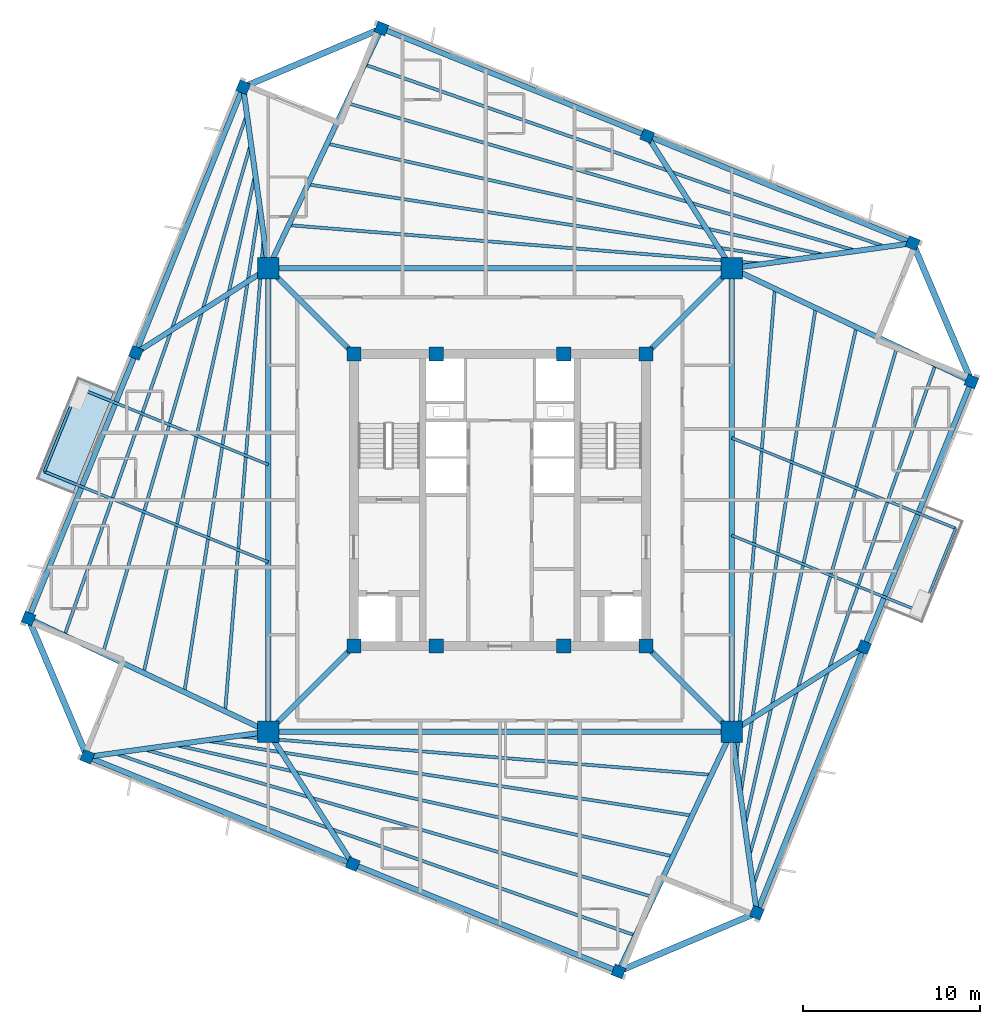
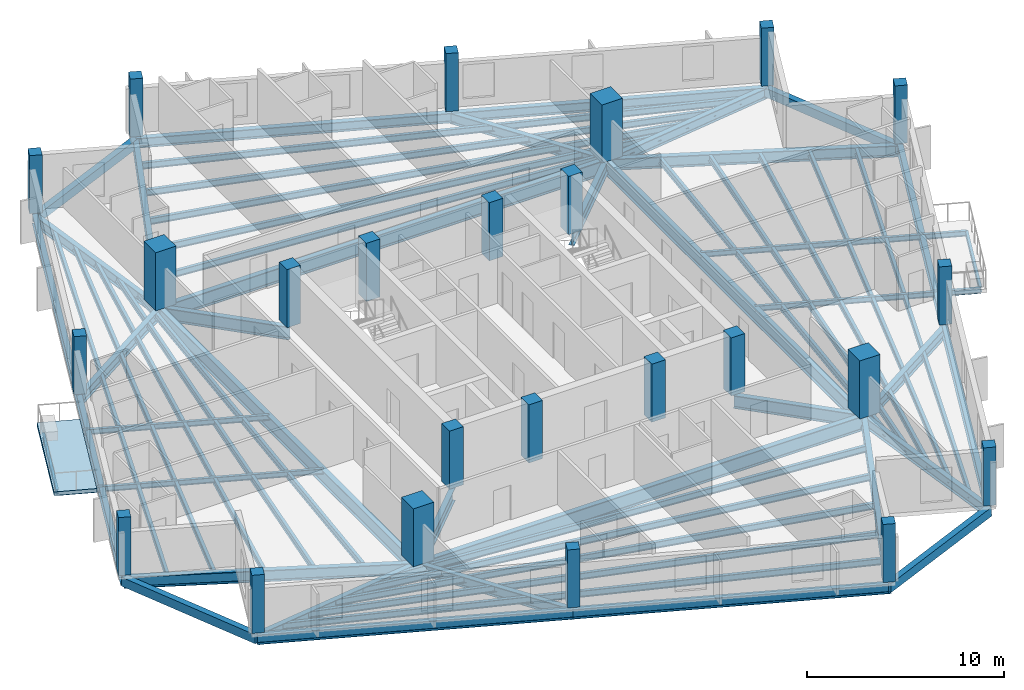
# One storey, part 1 of 9: 58 beams, 24 columns, 1 slab.
"""IFC4 building model written with IfcOpenShell, lengths in metres."""

from ifc_helpers import new_model, si_unit, direction, frame, origin, origin_2d, place, context, subcontext, project, spatial, polyline, rectangle, i_section, outline, extrude, source, transform, mapped, material, layer, layer_set, material_profile, profile_set, type_object, element, save


model = new_model("IFC4")

# Units and contexts
model_context = context("Model", 3, precision=1e-05, world=origin(), true_north=direction((0.0, 1.0)))
body_context = subcontext(model_context, "Body", "Model", "MODEL_VIEW")
ifc_project = project(units=[si_unit("LENGTHUNIT", "METRE"), si_unit("AREAUNIT", "SQUARE_METRE"), si_unit("VOLUMEUNIT", "CUBIC_METRE"), si_unit("PLANEANGLEUNIT", "RADIAN"), si_unit("MASSUNIT", "GRAM", prefix="KILO"), si_unit("THERMODYNAMICTEMPERATUREUNIT", "KELVIN")], contexts=[model_context])

# Site, building, storey
site_placement = place(None, origin())
site = spatial("IfcSite", under=ifc_project, at=site_placement, CompositionType="ELEMENT")
building_placement = place(site_placement, origin())
building = spatial("IfcBuilding", under=site, at=building_placement, Name="Kosmvard Interchange Tower", CompositionType="ELEMENT")
storey_placement = place(building_placement, frame((0.0, 0.0, 279.60009765625)))
storey = spatial("IfcBuildingStorey", under=building, at=storey_placement, Name="L68", CompositionType="ELEMENT", Elevation=279.60009765625)

# Columns
ifc_material_1 = material(Name="Concrete C50/60", Category="concrete")
ifc_material_profile_1 = material_profile(ifc_material_1, rectangle(XDim=0.800048828125, YDim=0.800048828125, at=origin_2d()), Name="CP 800x800")
ifc_profile_set_1 = profile_set([ifc_material_profile_1], Name="Concrete C50/60")
column_type_1 = type_object("IfcColumnType", Name="Core Boundary Pilaster 800x800 C50/60", PredefinedType="PILASTER", material=ifc_profile_set_1)
shared_shape_1 = source(origin(), body_context, "Body", "SweptSolid", [
    extrude(rectangle(XDim=0.800048828125, YDim=0.800048828125, at=origin_2d()), origin(), (0.0, 0.0, 1.0), 3.599853515625),
])
for number, where, z_axis, x_axis, name in (
    (1, (-8.25, -8.25, 0.0), (0.0, 0.0, 1.0), (1.0, 0.0, 0.0), "L68 Core Pilaster CP1"),
    (2, (8.25, -8.25, 0.0), (0.0, 0.0, 1.0), (1.0, 0.0, 0.0), "L68 Core Pilaster CP2"),
    (3, (8.25, 8.25, 0.0), (0.0, 0.0, 1.0), (1.0, 0.0, 0.0), "L68 Core Pilaster CP3"),
    (4, (-8.25, 8.25, 0.0), (0.0, 0.0, 1.0), (1.0, 0.0, 0.0), "L68 Core Pilaster CP4"),
    (5, (-3.60009765625, -8.25, 0.0), (0.0, 0.0, 1.0), (1.0, 0.0, 0.0), "L68 Core Pilaster CP5"),
    (6, (3.60009765625, -8.25, 0.0), (0.0, 0.0, 1.0), (1.0, 0.0, 0.0), "L68 Core Pilaster CP6"),
    (7, (-3.60009765625, 8.25, 0.0), (0.0, 0.0, 1.0), (1.0, 0.0, 0.0), "L68 Core Pilaster CP7"),
    (8, (3.60009765625, 8.25, 0.0), (0.0, 0.0, 1.0), (1.0, 0.0, 0.0), "L68 Core Pilaster CP8"),
):
    element("IfcColumn", number, at=place(storey_placement, frame(where, z_axis=z_axis, x_axis=x_axis)), inside=storey, type_object=column_type_1, Name=name, PredefinedType="PILASTER", context=body_context, shape_type="MappedRepresentation", body=[
        mapped(shared_shape_1, transform((0.0, 0.0, 0.0), scale=1.0)),
    ])
ifc_material_profile_2 = material_profile(ifc_material_1, rectangle(XDim=1.199951171875, YDim=1.199951171875, at=origin_2d()), Name="MC 1200x1200")
ifc_profile_set_2 = profile_set([ifc_material_profile_2], Name="Concrete C50/60")
column_type_2 = type_object("IfcColumnType", Name="Composite Mega-Column 1200x1200 C50/60", PredefinedType="COLUMN", material=ifc_profile_set_2)
shared_shape_2 = source(origin(), body_context, "Body", "SweptSolid", [
    extrude(rectangle(XDim=1.199951171875, YDim=1.199951171875, at=origin_2d()), origin(), (0.0, 0.0, 1.0), 3.599853515625),
])
for number, where, z_axis, x_axis, name in (
    (9, (-13.0810546875, -13.0810546875, 0.0), (0.0, 0.0, 1.0), (1.0, 0.0, 0.0), "L68 Corner Mega-Column MC1"),
    (10, (13.0810546875, -13.0810546875, 0.0), (0.0, 0.0, 1.0), (1.0, 0.0, 0.0), "L68 Corner Mega-Column MC2"),
    (11, (13.0810546875, 13.0810546875, 0.0), (0.0, 0.0, 1.0), (1.0, 0.0, 0.0), "L68 Corner Mega-Column MC3"),
    (12, (-13.0810546875, 13.0810546875, 0.0), (0.0, 0.0, 1.0), (1.0, 0.0, 0.0), "L68 Corner Mega-Column MC4"),
):
    element("IfcColumn", number, at=place(storey_placement, frame(where, z_axis=z_axis, x_axis=x_axis)), inside=storey, type_object=column_type_2, Name=name, PredefinedType="COLUMN", context=body_context, shape_type="MappedRepresentation", body=[
        mapped(shared_shape_2, transform((0.0, 0.0, 0.0), scale=1.0)),
    ])
ifc_material_profile_3 = material_profile(ifc_material_1, rectangle(XDim=0.64990234375, YDim=0.64990234375, at=origin_2d()), Name="TC 650x650")
ifc_profile_set_3 = profile_set([ifc_material_profile_3], Name="Concrete C50/60")
column_type_3 = type_object("IfcColumnType", Name="Zone 5 Perimeter Pier Column 650x650 C50/60", PredefinedType="COLUMN", material=ifc_profile_set_3)
shared_shape_3 = source(origin(), body_context, "Body", "SweptSolid", [
    extrude(rectangle(XDim=0.64990234375, YDim=0.64990234375, at=origin_2d()), origin(), (0.0, 0.0, 1.0), 3.599853515625),
])
for number, where, z_axis, x_axis, name in (
    (13, (14.5009765625, -23.30419921875, 0.0), (0.0, 0.0, 1.0), (0.374606593416, 0.927183854567, 0.0), "L68 Perimeter Pier Column TC-S1"),
    (14, (20.560302734375, -8.306884765625, 0.0), (0.0, 0.0, 1.0), (0.374606593416, 0.927183854567, 0.0), "L68 Perimeter Pier Column TC-S2"),
    (15, (26.61962890625, 6.690185546875, 0.0), (0.0, 0.0, 1.0), (0.374606593416, 0.927183854567, 0.0), "L68 Perimeter Pier Column TC-S3"),
    (16, (23.30419921875, 14.5009765625, 0.0), (0.0, 0.0, 1.0), (0.374606593416, 0.927183854567, 0.0), "L68 Perimeter Pier Column TC-E1"),
    (17, (8.306884765625, 20.560302734375, 0.0), (0.0, 0.0, 1.0), (0.374606593416, 0.927183854567, 0.0), "L68 Perimeter Pier Column TC-E2"),
    (18, (-6.690185546875, 26.61962890625, 0.0), (0.0, 0.0, 1.0), (0.374606593416, 0.927183854567, 0.0), "L68 Perimeter Pier Column TC-E3"),
    (19, (-14.5009765625, 23.30419921875, 0.0), (0.0, 0.0, 1.0), (0.374606593416, 0.927183854567, 0.0), "L68 Perimeter Pier Column TC-N1"),
    (20, (-20.560302734375, 8.306884765625, 0.0), (0.0, 0.0, 1.0), (0.374606593416, 0.927183854567, 0.0), "L68 Perimeter Pier Column TC-N2"),
    (21, (-26.61962890625, -6.690185546875, 0.0), (0.0, 0.0, 1.0), (0.374606593416, 0.927183854567, 0.0), "L68 Perimeter Pier Column TC-N3"),
    (22, (-23.30419921875, -14.5009765625, 0.0), (0.0, 0.0, 1.0), (0.374606593416, 0.927183854567, 0.0), "L68 Perimeter Pier Column TC-W1"),
    (23, (-8.306884765625, -20.560302734375, 0.0), (0.0, 0.0, 1.0), (0.374606593416, 0.927183854567, 0.0), "L68 Perimeter Pier Column TC-W2"),
    (24, (6.690185546875, -26.61962890625, 0.0), (0.0, 0.0, 1.0), (0.374606593416, 0.927183854567, 0.0), "L68 Perimeter Pier Column TC-W3"),
):
    element("IfcColumn", number, at=place(storey_placement, frame(where, z_axis=z_axis, x_axis=x_axis)), inside=storey, type_object=column_type_3, Name=name, PredefinedType="COLUMN", context=body_context, shape_type="MappedRepresentation", body=[
        mapped(shared_shape_3, transform((0.0, 0.0, 0.0), scale=1.0)),
    ])

# Beams
ifc_material_2 = material(Name="Steel S355", Category="steel")
ifc_material_profile_4 = material_profile(ifc_material_2, i_section(OverallWidth=0.14990234375, OverallDepth=0.300048828125, WebThickness=0.007080078125, FlangeThickness=0.0107421875, FilletRadius=0.014892578125, at=origin_2d()), Name="IPE 300")
ifc_profile_set_4 = profile_set([ifc_material_profile_4], Name="Steel S355")
beam_type_1 = type_object("IfcBeamType", Name="Balcony Edge Header Joist IPE 300 S355", PredefinedType="JOIST", material=ifc_profile_set_4)
shared_shape_4 = source(origin(), body_context, "Body", "SweptSolid", [
    extrude(i_section(OverallWidth=0.14990234375, OverallDepth=0.300048828125, WebThickness=0.007080078125, FlangeThickness=0.0107421875, FilletRadius=0.014892578125, at=origin_2d()), origin(), (0.0, 0.0, 1.0), 5.10009765625),
])
for number, where, z_axis, x_axis, name in (
    (25, (-23.812255859375, 6.331298828125, -0.400146484375), (-0.37458256161, -0.927193563684, 0.0), (0.927193563684, -0.37458256161, 0.0), "BM-L68-BJH1"),
    (26, (23.812255859375, -6.331298828125, -0.400146484375), (0.37458256161, 0.927193563684, 0.0), (-0.927193563684, 0.37458256161, 0.0), "BM-L68-BJH2"),
):
    element("IfcBeam", number, at=place(storey_placement, frame(where, z_axis=z_axis, x_axis=x_axis)), inside=storey, type_object=beam_type_1, Name=name, PredefinedType="JOIST", context=body_context, shape_type="MappedRepresentation", body=[
        mapped(shared_shape_4, transform((0.0, 0.0, 0.0), scale=1.0)),
    ])
ifc_material_profile_5 = material_profile(ifc_material_2, i_section(OverallWidth=0.300048828125, OverallDepth=0.800048828125, WebThickness=0.017578125, FlangeThickness=0.032958984375, FilletRadius=0.027099609375, at=origin_2d()), Name="HEB 800")
ifc_profile_set_5 = profile_set([ifc_material_profile_5], Name="Steel S355")
beam_type_2 = type_object("IfcBeamType", Name="Primary Mega-Frame Girder HEB 800 S355", PredefinedType="BEAM", material=ifc_profile_set_5)
shared_shape_5 = source(origin(), body_context, "Body", "SweptSolid", [
    extrude(i_section(OverallWidth=0.300048828125, OverallDepth=0.800048828125, WebThickness=0.017578125, FlangeThickness=0.032958984375, FilletRadius=0.027099609375, at=origin_2d()), origin(), (0.0, 0.0, 1.0), 6.83203125),
])
for number, where, z_axis, x_axis, name in (
    (27, (-8.25, -8.25, -0.650146484375), (-0.707106781187, -0.707106781187, 0.0), (0.707106781187, -0.707106781187, 0.0), "L68 Radial Mega-Frame Girder 1"),
    (28, (8.25, -8.25, -0.650146484375), (0.707106781187, -0.707106781187, 0.0), (0.707106781187, 0.707106781187, 0.0), "L68 Radial Mega-Frame Girder 2"),
    (29, (8.25, 8.25, -0.650146484375), (0.707106781187, 0.707106781187, 0.0), (-0.707106781187, 0.707106781187, 0.0), "L68 Radial Mega-Frame Girder 3"),
    (30, (-8.25, 8.25, -0.650146484375), (-0.707106781187, 0.707106781187, 0.0), (-0.707106781187, -0.707106781187, 0.0), "L68 Radial Mega-Frame Girder 4"),
):
    element("IfcBeam", number, at=place(storey_placement, frame(where, z_axis=z_axis, x_axis=x_axis)), inside=storey, type_object=beam_type_2, Name=name, PredefinedType="BEAM", context=body_context, shape_type="MappedRepresentation", body=[
        mapped(shared_shape_5, transform((0.0, 0.0, 0.0), scale=1.0)),
    ])
ifc_material_profile_6 = material_profile(ifc_material_2, i_section(OverallWidth=0.300048828125, OverallDepth=0.89990234375, WebThickness=0.0185546875, FlangeThickness=0.034912109375, FilletRadius=0.030029296875, at=origin_2d()), Name="HEB 900")
ifc_profile_set_6 = profile_set([ifc_material_profile_6], Name="Steel S355")
beam_type_3 = type_object("IfcBeamType", Name="Mega-Column Ring Girder HEB 900 S355", PredefinedType="BEAM", material=ifc_profile_set_6)
shared_shape_6 = source(origin(), body_context, "Body", "SweptSolid", [
    extrude(i_section(OverallWidth=0.300048828125, OverallDepth=0.89990234375, WebThickness=0.0185546875, FlangeThickness=0.034912109375, FilletRadius=0.030029296875, at=origin_2d()), origin(), (0.0, 0.0, 1.0), 26.162109375),
])
for number, where, z_axis, x_axis, name in (
    (31, (-13.0810546875, -13.0810546875, -0.7001953125), (1.0, 0.0, 0.0), (0.0, 1.0, 0.0), "L68 Mega-Column Ring Girder 1"),
    (32, (13.0810546875, -13.0810546875, -0.7001953125), (0.0, 1.0, 0.0), (-1.0, 0.0, 0.0), "L68 Mega-Column Ring Girder 2"),
    (33, (13.0810546875, 13.0810546875, -0.7001953125), (-1.0, 0.0, 0.0), (0.0, -1.0, 0.0), "L68 Mega-Column Ring Girder 3"),
    (34, (-13.0810546875, 13.0810546875, -0.7001953125), (0.0, -1.0, 0.0), (1.0, 0.0, 0.0), "L68 Mega-Column Ring Girder 4"),
):
    element("IfcBeam", number, at=place(storey_placement, frame(where, z_axis=z_axis, x_axis=x_axis)), inside=storey, type_object=beam_type_3, Name=name, PredefinedType="BEAM", context=body_context, shape_type="MappedRepresentation", body=[
        mapped(shared_shape_6, transform((0.0, 0.0, 0.0), scale=1.0)),
    ])
ifc_material_profile_7 = material_profile(ifc_material_2, i_section(OverallWidth=0.300048828125, OverallDepth=0.60009765625, WebThickness=0.015380859375, FlangeThickness=0.030029296875, FilletRadius=0.027099609375, at=origin_2d()), Name="HEB 600")
ifc_profile_set_7 = profile_set([ifc_material_profile_7], Name="Steel S355")
beam_type_4 = type_object("IfcBeamType", Name="Perimeter Tie Girder HEB 600 S355", PredefinedType="BEAM", material=ifc_profile_set_7)
shared_shape_7 = source(origin(), body_context, "Body", "SweptSolid", [
    extrude(i_section(OverallWidth=0.300048828125, OverallDepth=0.60009765625, WebThickness=0.015380859375, FlangeThickness=0.030029296875, FilletRadius=0.027099609375, at=origin_2d()), origin(), (0.0, 0.0, 1.0), 16.175048828125),
])
for number, where, z_axis, x_axis, name in (
    (35, (14.5009765625, -23.30419921875, -0.550048828125), (0.374607540279, 0.927183472009, 0.0), (-0.927183472009, 0.374607540279, 0.0), "BM-L68-PR01"),
    (36, (23.30419921875, 14.5009765625, -0.550048828125), (-0.927183472009, 0.374607540279, 0.0), (-0.374607540279, -0.927183472009, 0.0), "BM-L68-PR04"),
    (37, (-14.5009765625, 23.30419921875, -0.550048828125), (-0.374607540279, -0.927183472009, 0.0), (0.927183472009, -0.374607540279, 0.0), "BM-L68-PR07"),
    (38, (-23.30419921875, -14.5009765625, -0.550048828125), (0.927183472009, -0.374607540279, 0.0), (0.374607540279, 0.927183472009, 0.0), "BM-L68-PR10"),
):
    element("IfcBeam", number, at=place(storey_placement, frame(where, z_axis=z_axis, x_axis=x_axis)), inside=storey, type_object=beam_type_4, Name=name, PredefinedType="BEAM", context=body_context, shape_type="MappedRepresentation", body=[
        mapped(shared_shape_7, transform((0.0, 0.0, 0.0), scale=1.0)),
    ])
ifc_material_profile_8 = material_profile(ifc_material_2, i_section(OverallWidth=0.300048828125, OverallDepth=0.64990234375, WebThickness=0.01611328125, FlangeThickness=0.031005859375, FilletRadius=0.027099609375, at=origin_2d()), Name="HEB 650")
ifc_profile_set_8 = profile_set([ifc_material_profile_8], Name="Steel S355")
beam_type_5 = type_object("IfcBeamType", Name="Primary Floor Girder HEB 650 S355", PredefinedType="BEAM", material=ifc_profile_set_8)
shared_shape_8 = source(origin(), body_context, "Body", "SweptSolid", [
    extrude(i_section(OverallWidth=0.300048828125, OverallDepth=0.64990234375, WebThickness=0.01611328125, FlangeThickness=0.031005859375, FilletRadius=0.027099609375, at=origin_2d()), origin(), (0.0, 0.0, 1.0), 10.3212890625),
])
for number, where, z_axis, x_axis, name in (
    (39, (13.0810546875, -13.0810546875, -0.5751953125), (0.137572239014, -0.990491735984, 0.0), (0.990491735984, 0.137572239014, 0.0), "BM-L68-RD01"),
    (40, (13.0810546875, 13.0810546875, -0.5751953125), (0.990491735984, 0.137572239014, 0.0), (-0.137572239014, 0.990491735984, 0.0), "BM-L68-RD04"),
    (41, (-13.0810546875, 13.0810546875, -0.5751953125), (-0.137572239014, 0.990491735984, 0.0), (-0.990491735984, -0.137572239014, 0.0), "BM-L68-RD07"),
    (42, (-13.0810546875, -13.0810546875, -0.5751953125), (-0.990491735984, -0.137572239014, 0.0), (0.137572239014, -0.990491735984, 0.0), "BM-L68-RD10"),
):
    element("IfcBeam", number, at=place(storey_placement, frame(where, z_axis=z_axis, x_axis=x_axis)), inside=storey, type_object=beam_type_5, Name=name, PredefinedType="BEAM", context=body_context, shape_type="MappedRepresentation", body=[
        mapped(shared_shape_8, transform((0.0, 0.0, 0.0), scale=1.0)),
    ])
shared_shape_9 = source(origin(), body_context, "Body", "SweptSolid", [
    extrude(i_section(OverallWidth=0.300048828125, OverallDepth=0.60009765625, WebThickness=0.015380859375, FlangeThickness=0.030029296875, FilletRadius=0.027099609375, at=origin_2d()), origin(), (0.0, 0.0, 1.0), 16.1748046875),
])
for number, where, z_axis, x_axis, name in (
    (43, (20.560302734375, -8.306884765625, -0.550048828125), (0.374612782798, 0.92718135387, 0.0), (-0.92718135387, 0.374612782798, 0.0), "BM-L68-PR02"),
    (44, (8.306884765625, 20.560302734375, -0.550048828125), (-0.92718135387, 0.374612782798, 0.0), (-0.374612782798, -0.92718135387, 0.0), "BM-L68-PR05"),
    (45, (-20.560302734375, 8.306884765625, -0.550048828125), (-0.374612782798, -0.92718135387, 0.0), (0.92718135387, -0.374612782798, 0.0), "BM-L68-PR08"),
    (46, (-8.306884765625, -20.560302734375, -0.550048828125), (0.92718135387, -0.374612782798, 0.0), (0.374612782798, 0.92718135387, 0.0), "BM-L68-PR11"),
):
    element("IfcBeam", number, at=place(storey_placement, frame(where, z_axis=z_axis, x_axis=x_axis)), inside=storey, type_object=beam_type_4, Name=name, PredefinedType="BEAM", context=body_context, shape_type="MappedRepresentation", body=[
        mapped(shared_shape_9, transform((0.0, 0.0, 0.0), scale=1.0)),
    ])
shared_shape_10 = source(origin(), body_context, "Body", "SweptSolid", [
    extrude(i_section(OverallWidth=0.300048828125, OverallDepth=0.64990234375, WebThickness=0.01611328125, FlangeThickness=0.031005859375, FilletRadius=0.027099609375, at=origin_2d()), origin(), (0.0, 0.0, 1.0), 8.873046875),
])
for number, where, z_axis, x_axis, name in (
    (47, (13.0810546875, -13.0810546875, -0.5751953125), (0.842912916934, 0.538050011119, 0.0), (-0.538050011119, 0.842912916934, 0.0), "BM-L68-RD02"),
    (48, (13.0810546875, 13.0810546875, -0.5751953125), (-0.538050011119, 0.842912916934, 0.0), (-0.842912916934, -0.538050011119, 0.0), "BM-L68-RD05"),
    (49, (-13.0810546875, 13.0810546875, -0.5751953125), (-0.842912916934, -0.538050011119, 0.0), (0.538050011119, -0.842912916934, 0.0), "BM-L68-RD08"),
    (50, (-13.0810546875, -13.0810546875, -0.5751953125), (0.538050011119, -0.842912916934, 0.0), (0.842912916934, 0.538050011119, 0.0), "BM-L68-RD11"),
):
    element("IfcBeam", number, at=place(storey_placement, frame(where, z_axis=z_axis, x_axis=x_axis)), inside=storey, type_object=beam_type_5, Name=name, PredefinedType="BEAM", context=body_context, shape_type="MappedRepresentation", body=[
        mapped(shared_shape_10, transform((0.0, 0.0, 0.0), scale=1.0)),
    ])
ifc_material_3 = material(Name="Precast concrete C45/55", Category="concrete")
ifc_material_profile_9 = material_profile(ifc_material_3, rectangle(XDim=0.35009765625, YDim=0.550048828125, at=origin_2d()), Name="SL 350x550")
ifc_profile_set_9 = profile_set([ifc_material_profile_9], Name="Precast concrete C45/55")
beam_type_6 = type_object("IfcBeamType", Name="Precast Spandrel Lintel 350x550 C45/55", PredefinedType="LINTEL", material=ifc_profile_set_9)
shared_shape_11 = source(origin(), body_context, "Body", "SweptSolid", [
    extrude(rectangle(XDim=0.35009765625, YDim=0.550048828125, at=origin_2d()), origin(), (0.0, 0.0, 1.0), 8.4853515625),
])
for number, where, z_axis, x_axis, name in (
    (51, (26.61962890625, 6.690185546875, -0.525146484375), (-0.390725696857, 0.920507159025, 0.0), (-0.920507159025, -0.390725696857, 0.0), "BM-L68-SL1"),
    (52, (-6.690185546875, 26.61962890625, -0.525146484375), (-0.920507159025, -0.390725696857, 0.0), (0.390725696857, -0.920507159025, 0.0), "BM-L68-SL2"),
    (53, (-26.61962890625, -6.690185546875, -0.525146484375), (0.390725696857, -0.920507159025, 0.0), (0.920507159025, 0.390725696857, 0.0), "BM-L68-SL3"),
    (54, (6.690185546875, -26.61962890625, -0.525146484375), (0.920507159025, 0.390725696857, 0.0), (-0.390725696857, 0.920507159025, 0.0), "BM-L68-SL4"),
):
    element("IfcBeam", number, at=place(storey_placement, frame(where, z_axis=z_axis, x_axis=x_axis)), inside=storey, type_object=beam_type_6, Name=name, PredefinedType="LINTEL", context=body_context, shape_type="MappedRepresentation", body=[
        mapped(shared_shape_11, transform((0.0, 0.0, 0.0), scale=1.0)),
    ])
ifc_material_profile_10 = material_profile(ifc_material_2, i_section(OverallWidth=0.300048828125, OverallDepth=0.699951171875, WebThickness=0.01708984375, FlangeThickness=0.031982421875, FilletRadius=0.027099609375, at=origin_2d()), Name="HEB 700")
ifc_profile_set_10 = profile_set([ifc_material_profile_10], Name="Steel S355")
beam_type_7 = type_object("IfcBeamType", Name="Primary Floor Girder HEB 700 S355", PredefinedType="BEAM", material=ifc_profile_set_10)
shared_shape_12 = source(origin(), body_context, "Body", "SweptSolid", [
    extrude(i_section(OverallWidth=0.300048828125, OverallDepth=0.699951171875, WebThickness=0.01708984375, FlangeThickness=0.031982421875, FilletRadius=0.027099609375, at=origin_2d()), origin(), (0.0, 0.0, 1.0), 14.97119140625),
])
for number, where, z_axis, x_axis, name in (
    (55, (13.0810546875, 13.0810546875, -0.60009765625), (0.904309155001, -0.426878146761, 0.0), (0.426878146761, 0.904309155001, 0.0), "BM-L68-RD03"),
    (56, (-13.0810546875, 13.0810546875, -0.60009765625), (0.426878146761, 0.904309155001, 0.0), (-0.904309155001, 0.426878146761, 0.0), "BM-L68-RD06"),
    (57, (-13.0810546875, -13.0810546875, -0.60009765625), (-0.904309155001, 0.426878146761, 0.0), (-0.426878146761, -0.904309155001, 0.0), "BM-L68-RD09"),
    (58, (13.0810546875, -13.0810546875, -0.60009765625), (-0.426878146761, -0.904309155001, 0.0), (0.904309155001, -0.426878146761, 0.0), "BM-L68-RD12"),
):
    element("IfcBeam", number, at=place(storey_placement, frame(where, z_axis=z_axis, x_axis=x_axis)), inside=storey, type_object=beam_type_7, Name=name, PredefinedType="BEAM", context=body_context, shape_type="MappedRepresentation", body=[
        mapped(shared_shape_12, transform((0.0, 0.0, 0.0), scale=1.0)),
    ])
ifc_material_profile_11 = material_profile(ifc_material_2, i_section(OverallWidth=0.179931640625, OverallDepth=0.39990234375, WebThickness=0.008544921875, FlangeThickness=0.013427734375, FilletRadius=0.02099609375, at=origin_2d()), Name="IPE 400")
ifc_profile_set_11 = profile_set([ifc_material_profile_11], Name="Steel S355")
beam_type_8 = type_object("IfcBeamType", Name="Upper-Zone Floor Joist IPE 400 S355", PredefinedType="JOIST", material=ifc_profile_set_11)
shared_shape_13 = source(origin(), body_context, "Body", "SweptSolid", [
    extrude(i_section(OverallWidth=0.179931640625, OverallDepth=0.39990234375, WebThickness=0.008544921875, FlangeThickness=0.013427734375, FilletRadius=0.02099609375, at=origin_2d()), origin(), (0.0, 0.0, 1.0), 26.780029296875),
])
for number, where, z_axis, x_axis, name in (
    (59, (13.343017578125, -14.84130859375, -0.4501953125), (0.080972773487, 0.996716313679, 0.0), (-0.996716313679, 0.080972773487, 0.0), "BM-L68-FJ01"),
    (60, (14.84130859375, 13.343017578125, -0.4501953125), (-0.996716313679, 0.080972773487, 0.0), (-0.080972773487, -0.996716313679, 0.0), "BM-L68-FJ06"),
    (61, (-13.343017578125, 14.84130859375, -0.4501953125), (-0.080972773487, -0.996716313679, 0.0), (0.996716313679, -0.080972773487, 0.0), "BM-L68-FJ11"),
    (62, (-14.84130859375, -13.343017578125, -0.4501953125), (0.996716313679, -0.080972773487, 0.0), (0.080972773487, 0.996716313679, 0.0), "BM-L68-FJ16"),
):
    element("IfcBeam", number, at=place(storey_placement, frame(where, z_axis=z_axis, x_axis=x_axis)), inside=storey, type_object=beam_type_8, Name=name, PredefinedType="JOIST", context=body_context, shape_type="MappedRepresentation", body=[
        mapped(shared_shape_13, transform((0.0, 0.0, 0.0), scale=1.0)),
    ])
shared_shape_14 = source(origin(), body_context, "Body", "SweptSolid", [
    extrude(i_section(OverallWidth=0.179931640625, OverallDepth=0.39990234375, WebThickness=0.008544921875, FlangeThickness=0.013427734375, FilletRadius=0.02099609375, at=origin_2d()), origin(), (0.0, 0.0, 1.0), 27.66845703125),
])
for number, where, z_axis, x_axis, name in (
    (63, (13.590087890625, -16.580078125, -0.4501953125), (0.152421855854, 0.988315525456, 0.0), (-0.988315525456, 0.152421855854, 0.0), "BM-L68-FJ02"),
    (64, (16.580078125, 13.590087890625, -0.4501953125), (-0.988315525456, 0.152421855854, 0.0), (-0.152421855854, -0.988315525456, 0.0), "BM-L68-FJ07"),
    (65, (-13.590087890625, 16.580078125, -0.4501953125), (-0.152421855854, -0.988315525456, 0.0), (0.988315525456, -0.152421855854, 0.0), "BM-L68-FJ12"),
    (66, (-16.580078125, -13.590087890625, -0.4501953125), (0.988315525456, -0.152421855854, 0.0), (0.152421855854, 0.988315525456, 0.0), "BM-L68-FJ17"),
):
    element("IfcBeam", number, at=place(storey_placement, frame(where, z_axis=z_axis, x_axis=x_axis)), inside=storey, type_object=beam_type_8, Name=name, PredefinedType="JOIST", context=body_context, shape_type="MappedRepresentation", body=[
        mapped(shared_shape_14, transform((0.0, 0.0, 0.0), scale=1.0)),
    ])
shared_shape_15 = source(origin(), body_context, "Body", "SweptSolid", [
    extrude(i_section(OverallWidth=0.179931640625, OverallDepth=0.39990234375, WebThickness=0.008544921875, FlangeThickness=0.013427734375, FilletRadius=0.02099609375, at=origin_2d()), origin(), (0.0, 0.0, 1.0), 28.691162109375),
])
for number, where, z_axis, x_axis, name in (
    (67, (13.8369140625, -18.31884765625, -0.4501953125), (0.218415018158, 0.975855972899, 0.0), (-0.975855972899, 0.218415018158, 0.0), "BM-L68-FJ03"),
    (68, (18.31884765625, 13.8369140625, -0.4501953125), (-0.975855972899, 0.218415018158, 0.0), (-0.218415018158, -0.975855972899, 0.0), "BM-L68-FJ08"),
    (69, (-13.8369140625, 18.31884765625, -0.4501953125), (-0.218415018158, -0.975855972899, 0.0), (0.975855972899, -0.218415018158, 0.0), "BM-L68-FJ13"),
    (70, (-18.31884765625, -13.8369140625, -0.4501953125), (0.975855972899, -0.218415018158, 0.0), (0.218415018158, 0.975855972899, 0.0), "BM-L68-FJ18"),
):
    element("IfcBeam", number, at=place(storey_placement, frame(where, z_axis=z_axis, x_axis=x_axis)), inside=storey, type_object=beam_type_8, Name=name, PredefinedType="JOIST", context=body_context, shape_type="MappedRepresentation", body=[
        mapped(shared_shape_15, transform((0.0, 0.0, 0.0), scale=1.0)),
    ])
shared_shape_16 = source(origin(), body_context, "Body", "SweptSolid", [
    extrude(i_section(OverallWidth=0.179931640625, OverallDepth=0.39990234375, WebThickness=0.008544921875, FlangeThickness=0.013427734375, FilletRadius=0.02099609375, at=origin_2d()), origin(), (0.0, 0.0, 1.0), 29.83544921875),
])
for number, where, z_axis, x_axis, name in (
    (71, (14.0830078125, -20.05810546875, -0.4501953125), (0.27877586881, 0.960356191717, 0.0), (-0.960356191717, 0.27877586881, 0.0), "BM-L68-FJ04"),
    (72, (20.05810546875, 14.0830078125, -0.4501953125), (-0.960356191717, 0.27877586881, 0.0), (-0.27877586881, -0.960356191717, 0.0), "BM-L68-FJ09"),
    (73, (-14.0830078125, 20.05810546875, -0.4501953125), (-0.27877586881, -0.960356191717, 0.0), (0.960356191717, -0.27877586881, 0.0), "BM-L68-FJ14"),
    (74, (-20.05810546875, -14.0830078125, -0.4501953125), (0.960356191717, -0.27877586881, 0.0), (0.27877586881, 0.960356191717, 0.0), "BM-L68-FJ19"),
):
    element("IfcBeam", number, at=place(storey_placement, frame(where, z_axis=z_axis, x_axis=x_axis)), inside=storey, type_object=beam_type_8, Name=name, PredefinedType="JOIST", context=body_context, shape_type="MappedRepresentation", body=[
        mapped(shared_shape_16, transform((0.0, 0.0, 0.0), scale=1.0)),
    ])
shared_shape_17 = source(origin(), body_context, "Body", "SweptSolid", [
    extrude(i_section(OverallWidth=0.179931640625, OverallDepth=0.39990234375, WebThickness=0.008544921875, FlangeThickness=0.013427734375, FilletRadius=0.02099609375, at=origin_2d()), origin(), (0.0, 0.0, 1.0), 31.0107421875),
])
for number, where, z_axis, x_axis, name in (
    (75, (14.314453125, -21.695068359375, -0.4501953125), (0.330459834828, 0.943820055713, 0.0), (-0.943820055713, 0.330459834828, 0.0), "BM-L68-FJ05"),
    (76, (21.695068359375, 14.314453125, -0.4501953125), (-0.943820055713, 0.330459834828, 0.0), (-0.330459834828, -0.943820055713, 0.0), "BM-L68-FJ10"),
    (77, (-14.314453125, 21.695068359375, -0.4501953125), (-0.330459834828, -0.943820055713, 0.0), (0.943820055713, -0.330459834828, 0.0), "BM-L68-FJ15"),
    (78, (-21.695068359375, -14.314453125, -0.4501953125), (0.943820055713, -0.330459834828, 0.0), (0.330459834828, 0.943820055713, 0.0), "BM-L68-FJ20"),
):
    element("IfcBeam", number, at=place(storey_placement, frame(where, z_axis=z_axis, x_axis=x_axis)), inside=storey, type_object=beam_type_8, Name=name, PredefinedType="JOIST", context=body_context, shape_type="MappedRepresentation", body=[
        mapped(shared_shape_17, transform((0.0, 0.0, 0.0), scale=1.0)),
    ])
ifc_material_profile_12 = material_profile(ifc_material_2, i_section(OverallWidth=0.159912109375, OverallDepth=0.330078125, WebThickness=0.007568359375, FlangeThickness=0.011474609375, FilletRadius=0.01806640625, at=origin_2d()), Name="IPE 330")
ifc_profile_set_12 = profile_set([ifc_material_profile_12], Name="Steel S355")
beam_type_9 = type_object("IfcBeamType", Name="Balcony Cantilever Joist IPE 330 S355", PredefinedType="JOIST", material=ifc_profile_set_12)
shared_shape_18 = source(origin(), body_context, "Body", "SweptSolid", [
    extrude(i_section(OverallWidth=0.159912109375, OverallDepth=0.330078125, WebThickness=0.007568359375, FlangeThickness=0.011474609375, FilletRadius=0.01806640625, at=origin_2d()), origin(), (0.0, 0.0, 1.0), 11.573974609375),
])
for number, where, z_axis, x_axis, name in (
    (79, (-13.0810546875, 1.99560546875, -0.4150390625), (-0.927183654967, 0.374607087443, 0.0), (-0.374607087443, -0.927183654967, 0.0), "BM-L68-BJ1"),
    (80, (13.0810546875, -1.99560546875, -0.4150390625), (0.927183654967, -0.374607087443, 0.0), (0.374607087443, 0.927183654967, 0.0), "BM-L68-BJ2"),
):
    element("IfcBeam", number, at=place(storey_placement, frame(where, z_axis=z_axis, x_axis=x_axis)), inside=storey, type_object=beam_type_9, Name=name, PredefinedType="JOIST", context=body_context, shape_type="MappedRepresentation", body=[
        mapped(shared_shape_18, transform((0.0, 0.0, 0.0), scale=1.0)),
    ])
shared_shape_19 = source(origin(), body_context, "Body", "SweptSolid", [
    extrude(i_section(OverallWidth=0.159912109375, OverallDepth=0.330078125, WebThickness=0.007568359375, FlangeThickness=0.011474609375, FilletRadius=0.01806640625, at=origin_2d()), origin(), (0.0, 0.0, 1.0), 13.63427734375),
])
for number, where, z_axis, x_axis, name in (
    (81, (-13.0810546875, -3.5048828125, -0.4150390625), (-0.927186827234, 0.374599235723, 0.0), (-0.374599235723, -0.927186827234, 0.0), "BM-L68-BJB1"),
    (82, (13.0810546875, 3.5048828125, -0.4150390625), (0.927186827234, -0.374599235723, 0.0), (0.374599235723, 0.927186827234, 0.0), "BM-L68-BJB2"),
):
    element("IfcBeam", number, at=place(storey_placement, frame(where, z_axis=z_axis, x_axis=x_axis)), inside=storey, type_object=beam_type_9, Name=name, PredefinedType="JOIST", context=body_context, shape_type="MappedRepresentation", body=[
        mapped(shared_shape_19, transform((0.0, 0.0, 0.0), scale=1.0)),
    ])

# Slab
ifc_layer = layer(ifc_material_1, 0.22998046875, Name="Concrete C50/60")
ifc_layer_set = layer_set([ifc_layer], Name="Concrete C50/60")
slab_type = type_object("IfcSlabType", Name="Tree-Planter Cantilever Balcony Slab 230 C50/60", PredefinedType="FLOOR", material=ifc_layer_set)
slab_placement = place(storey_placement, frame((0.0, 0.0, -0.22998046875)))
element("IfcSlab", 83, at=slab_placement, inside=storey, type_object=slab_type, Name="L68 Outdoor Terrace Balcony Slab BAL-L68-NE", PredefinedType="FLOOR", context=body_context, shape_type="SweptSolid", body=[
    extrude(outline(polyline([(-24.12060546875, 0.362060546875), (-21.798095703125, 6.110595703125), (-23.837890625, 6.934814453125), (-26.160400390625, 1.186279296875), (-24.12060546875, 0.362060546875)])), origin(), (0.0, 0.0, 1.0), 0.22998046875),
])

save(model, "model.ifc")
